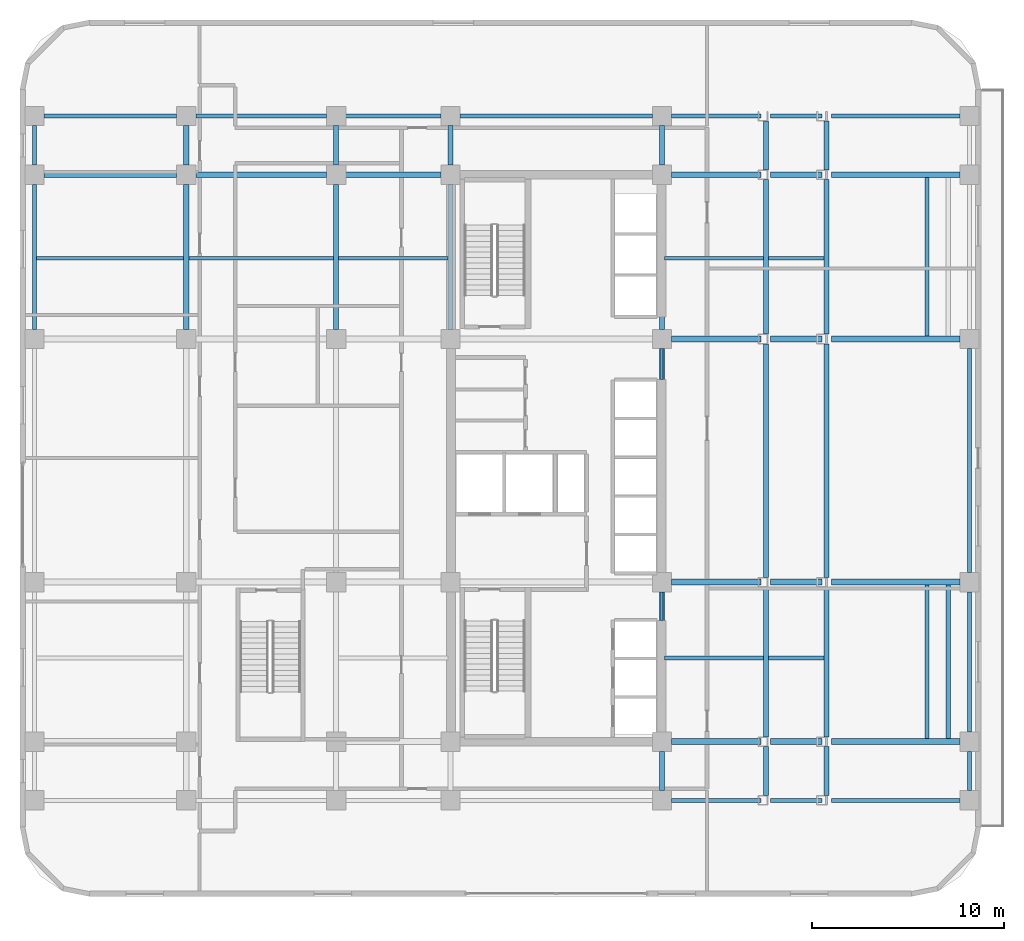
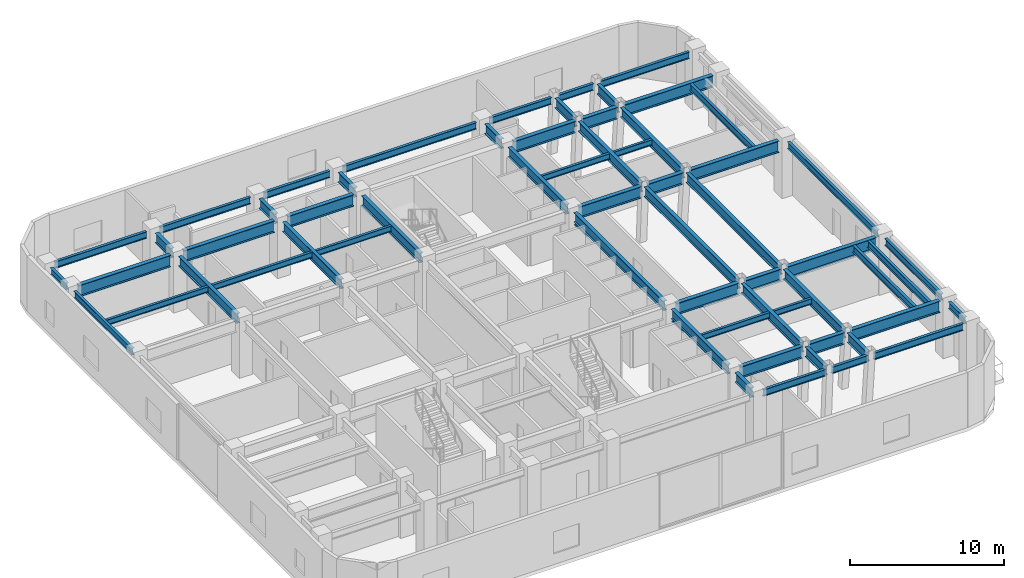
# One storey, part 3 of 10: 63 beams.
"""IFC4 building model written with IfcOpenShell, lengths in metres."""

from ifc_helpers import new_model, si_unit, direction, frame, origin, origin_2d, place, context, subcontext, project, spatial, i_section, extrude, material, material_profile, profile_set, type_object, element, save


model = new_model("IFC4")

# Units and contexts
model_context = context("Model", 3, precision=1e-05, world=origin(), true_north=direction((0.0, 1.0)))
body_context = subcontext(model_context, "Body", "Model", "MODEL_VIEW")
ifc_project = project(units=[si_unit("LENGTHUNIT", "METRE"), si_unit("AREAUNIT", "SQUARE_METRE"), si_unit("VOLUMEUNIT", "CUBIC_METRE"), si_unit("PLANEANGLEUNIT", "RADIAN"), si_unit("MASSUNIT", "GRAM", prefix="KILO")], contexts=[model_context])

# Site, building, storey
site_placement = place(None, origin())
site = spatial("IfcSite", under=ifc_project, at=site_placement, CompositionType="ELEMENT")
building_placement = place(site_placement, origin())
building = spatial("IfcBuilding", under=site, at=building_placement, Name="Ochreholt Gables", CompositionType="ELEMENT")
storey_placement = place(building_placement, frame((0.0, 0.0, 14.39990234375)))
storey = spatial("IfcBuildingStorey", under=building, at=storey_placement, Name="L03", CompositionType="ELEMENT", Elevation=14.39990234375)

# Beams
ifc_material = material(Name="Steel CSA G40.21 350W", Category="steel")
ifc_material_profile_1 = material_profile(ifc_material, i_section(OverallWidth=0.2109375, OverallDepth=0.5390625, WebThickness=0.01171875, FlangeThickness=0.018798828125, at=origin_2d()), Name="W530X109")
ifc_profile_set_1 = profile_set([ifc_material_profile_1], Name="Steel CSA G40.21 350W")
beam_type_1 = type_object("IfcBeamType", Name="BM-G-W530A", PredefinedType="BEAM", material=ifc_profile_set_1)
beam_1_placement = place(storey_placement, frame((49.0, 9.403564453125, 4.12060546875), z_axis=(0.0, 1.0, 0.0), x_axis=(-1.0, 0.0, 0.0)))
element("IfcBeam", 1, at=beam_1_placement, inside=storey, type_object=beam_type_1, Name="L03 Beam BTG-L03-04E1W", PredefinedType="BEAM", context=body_context, shape_type="SweptSolid", body=[
    extrude(i_section(OverallWidth=0.2109375, OverallDepth=0.5390625, WebThickness=0.01171875, FlangeThickness=0.018798828125, at=origin_2d()), origin(), (0.0, 0.0, 1.0), 7.992919921875),
])
beam_2_placement = place(storey_placement, frame((49.0, 30.353515625, 4.12060546875), z_axis=(0.0, 1.0, 0.0), x_axis=(-1.0, 0.0, 0.0)))
element("IfcBeam", 2, at=beam_2_placement, inside=storey, type_object=beam_type_1, Name="L03 Beam BTG-L03-04E2W", PredefinedType="BEAM", context=body_context, shape_type="SweptSolid", body=[
    extrude(i_section(OverallWidth=0.2109375, OverallDepth=0.5390625, WebThickness=0.01171875, FlangeThickness=0.018798828125, at=origin_2d()), origin(), (0.0, 0.0, 1.0), 8.242919921875),
])
beam_3_placement = place(storey_placement, frame((50.10009765625, 9.403564453125, 4.12060546875), z_axis=(0.0, 1.0, 0.0), x_axis=(-1.0, 0.0, 0.0)))
element("IfcBeam", 3, at=beam_3_placement, inside=storey, type_object=beam_type_1, Name="L03 Beam BTG-L03-04E1R", PredefinedType="BEAM", context=body_context, shape_type="SweptSolid", body=[
    extrude(i_section(OverallWidth=0.2109375, OverallDepth=0.5390625, WebThickness=0.01171875, FlangeThickness=0.018798828125, at=origin_2d()), origin(), (0.0, 0.0, 1.0), 7.992919921875),
])
ifc_material_profile_2 = material_profile(ifc_material, i_section(OverallWidth=0.26806640625, OverallDepth=0.77001953125, WebThickness=0.015625, FlangeThickness=0.025390625, at=origin_2d()), Name="W760X196")
ifc_profile_set_2 = profile_set([ifc_material_profile_2], Name="Steel CSA G40.21 350W")
beam_type_2 = type_object("IfcBeamType", Name="BM-G-W760", PredefinedType="BEAM", material=ifc_profile_set_2)
beam_4_placement = place(storey_placement, frame((10.449951171875, 30.69970703125, 4.005126953125), z_axis=(0.0, 1.0, 0.0), x_axis=(-1.0, 0.0, 0.0)))
element("IfcBeam", 4, at=beam_4_placement, inside=storey, type_object=beam_type_2, Name="L03 Beam BG-L03-W2-Y4Y5", PredefinedType="BEAM", context=body_context, shape_type="SweptSolid", body=[
    extrude(i_section(OverallWidth=0.26806640625, OverallDepth=0.77001953125, WebThickness=0.015625, FlangeThickness=0.025390625, at=origin_2d()), origin(), (0.0, 0.0, 1.0), 7.55078125),
])
beam_5_placement = place(storey_placement, frame((10.449951171875, 39.24951171875, 4.005126953125), z_axis=(0.0, 1.0, 0.0), x_axis=(-1.0, 0.0, 0.0)))
element("IfcBeam", 5, at=beam_5_placement, inside=storey, type_object=beam_type_2, Name="L03 Beam BG-L03-W2-Y5Y6", PredefinedType="BEAM", context=body_context, shape_type="SweptSolid", body=[
    extrude(i_section(OverallWidth=0.26806640625, OverallDepth=0.77001953125, WebThickness=0.015625, FlangeThickness=0.025390625, at=origin_2d()), origin(), (0.0, 0.0, 1.0), 2.05078125),
])
beam_6_placement = place(storey_placement, frame((18.25, 30.69970703125, 4.005126953125), z_axis=(0.0, 1.0, 0.0), x_axis=(-1.0, 0.0, 0.0)))
element("IfcBeam", 6, at=beam_6_placement, inside=storey, type_object=beam_type_2, Name="L03 Beam BG-L03-W3-Y4Y5", PredefinedType="BEAM", context=body_context, shape_type="SweptSolid", body=[
    extrude(i_section(OverallWidth=0.26806640625, OverallDepth=0.77001953125, WebThickness=0.015625, FlangeThickness=0.025390625, at=origin_2d()), origin(), (0.0, 0.0, 1.0), 7.55078125),
])
beam_7_placement = place(storey_placement, frame((18.25, 39.24951171875, 4.005126953125), z_axis=(0.0, 1.0, 0.0), x_axis=(-1.0, 0.0, 0.0)))
element("IfcBeam", 7, at=beam_7_placement, inside=storey, type_object=beam_type_2, Name="L03 Beam BG-L03-W3-Y5Y6", PredefinedType="BEAM", context=body_context, shape_type="SweptSolid", body=[
    extrude(i_section(OverallWidth=0.26806640625, OverallDepth=0.77001953125, WebThickness=0.015625, FlangeThickness=0.025390625, at=origin_2d()), origin(), (0.0, 0.0, 1.0), 2.05078125),
])
beam_8_placement = place(storey_placement, frame((24.199951171875, 30.69970703125, 4.005126953125), z_axis=(0.0, 1.0, 0.0), x_axis=(-1.0, 0.0, 0.0)))
element("IfcBeam", 8, at=beam_8_placement, inside=storey, type_object=beam_type_2, Name="L03 Beam BG-L03-C1-Y4Y5", PredefinedType="BEAM", context=body_context, shape_type="SweptSolid", body=[
    extrude(i_section(OverallWidth=0.26806640625, OverallDepth=0.77001953125, WebThickness=0.015625, FlangeThickness=0.025390625, at=origin_2d()), origin(), (0.0, 0.0, 1.0), 7.55078125),
])
for number, where, z_axis, x_axis, name in (
    (9, (24.199951171875, 39.24951171875, 4.005126953125), (0.0, 1.0, 0.0), (-1.0, 0.0, 0.0), "L03 Beam BG-L03-C1-Y5Y6"),
    (10, (35.199951171875, 6.69970703125, 4.005126953125), (0.0, 1.0, 0.0), (-1.0, 0.0, 0.0), "L03 Beam BG-L03-C2-Y1Y2"),
):
    element("IfcBeam", number, at=place(storey_placement, frame(where, z_axis=z_axis, x_axis=x_axis)), inside=storey, type_object=beam_type_2, Name=name, PredefinedType="BEAM", context=body_context, shape_type="SweptSolid", body=[
        extrude(i_section(OverallWidth=0.26806640625, OverallDepth=0.77001953125, WebThickness=0.015625, FlangeThickness=0.025390625, at=origin_2d()), origin(), (0.0, 0.0, 1.0), 2.05078125),
    ])
beam_9_placement = place(storey_placement, frame((35.199951171875, 9.74951171875, 4.005126953125), z_axis=(0.0, 1.0, 0.0), x_axis=(-1.0, 0.0, 0.0)))
element("IfcBeam", 11, at=beam_9_placement, inside=storey, type_object=beam_type_2, Name="L03 Beam BG-L03-C2-Y2Y3", PredefinedType="BEAM", context=body_context, shape_type="SweptSolid", body=[
    extrude(i_section(OverallWidth=0.26806640625, OverallDepth=0.77001953125, WebThickness=0.015625, FlangeThickness=0.025390625, at=origin_2d()), origin(), (0.0, 0.0, 1.0), 7.30078125),
])
beam_10_placement = place(storey_placement, frame((35.199951171875, 18.049560546875, 4.005126953125), z_axis=(0.0, 1.0, 0.0), x_axis=(-1.0, 0.0, 0.0)))
element("IfcBeam", 12, at=beam_10_placement, inside=storey, type_object=beam_type_2, Name="L03 Beam BG-L03-C2-Y3Y4", PredefinedType="BEAM", context=body_context, shape_type="SweptSolid", body=[
    extrude(i_section(OverallWidth=0.26806640625, OverallDepth=0.77001953125, WebThickness=0.015625, FlangeThickness=0.025390625, at=origin_2d()), origin(), (0.0, 0.0, 1.0), 11.65087890625),
])
beam_11_placement = place(storey_placement, frame((35.199951171875, 30.69970703125, 4.005126953125), z_axis=(0.0, 1.0, 0.0), x_axis=(-1.0, 0.0, 0.0)))
element("IfcBeam", 13, at=beam_11_placement, inside=storey, type_object=beam_type_2, Name="L03 Beam BG-L03-C2-Y4Y5", PredefinedType="BEAM", context=body_context, shape_type="SweptSolid", body=[
    extrude(i_section(OverallWidth=0.26806640625, OverallDepth=0.77001953125, WebThickness=0.015625, FlangeThickness=0.025390625, at=origin_2d()), origin(), (0.0, 0.0, 1.0), 7.55078125),
])
beam_12_placement = place(storey_placement, frame((35.199951171875, 39.24951171875, 4.005126953125), z_axis=(0.0, 1.0, 0.0), x_axis=(-1.0, 0.0, 0.0)))
element("IfcBeam", 14, at=beam_12_placement, inside=storey, type_object=beam_type_2, Name="L03 Beam BG-L03-C2-Y5Y6", PredefinedType="BEAM", context=body_context, shape_type="SweptSolid", body=[
    extrude(i_section(OverallWidth=0.26806640625, OverallDepth=0.77001953125, WebThickness=0.015625, FlangeThickness=0.025390625, at=origin_2d()), origin(), (0.0, 0.0, 1.0), 2.05078125),
])
beam_13_placement = place(storey_placement, frame((40.60791015625, 6.44970703125, 4.005126953125), z_axis=(0.0, 1.0, 0.0), x_axis=(-1.0, 0.0, 0.0)))
element("IfcBeam", 15, at=beam_13_placement, inside=storey, type_object=beam_type_2, Name="L03 Beam BG-L03-EM-Y1Y2", PredefinedType="BEAM", context=body_context, shape_type="SweptSolid", body=[
    extrude(i_section(OverallWidth=0.26806640625, OverallDepth=0.77001953125, WebThickness=0.015625, FlangeThickness=0.025390625, at=origin_2d()), origin(), (0.0, 0.0, 1.0), 2.55078125),
])
beam_14_placement = place(storey_placement, frame((40.60791015625, 9.49951171875, 4.005126953125), z_axis=(0.0, 1.0, 0.0), x_axis=(-1.0, 0.0, 0.0)))
element("IfcBeam", 16, at=beam_14_placement, inside=storey, type_object=beam_type_2, Name="L03 Beam BG-L03-EM-Y2Y3", PredefinedType="BEAM", context=body_context, shape_type="SweptSolid", body=[
    extrude(i_section(OverallWidth=0.26806640625, OverallDepth=0.77001953125, WebThickness=0.015625, FlangeThickness=0.025390625, at=origin_2d()), origin(), (0.0, 0.0, 1.0), 7.80078125),
])
beam_15_placement = place(storey_placement, frame((40.60791015625, 17.799560546875, 4.005126953125), z_axis=(0.0, 1.0, 0.0), x_axis=(-1.0, 0.0, 0.0)))
element("IfcBeam", 17, at=beam_15_placement, inside=storey, type_object=beam_type_2, Name="L03 Beam BG-L03-EM-Y3Y4", PredefinedType="BEAM", context=body_context, shape_type="SweptSolid", body=[
    extrude(i_section(OverallWidth=0.26806640625, OverallDepth=0.77001953125, WebThickness=0.015625, FlangeThickness=0.025390625, at=origin_2d()), origin(), (0.0, 0.0, 1.0), 12.15087890625),
])
beam_16_placement = place(storey_placement, frame((40.60791015625, 30.44970703125, 4.005126953125), z_axis=(0.0, 1.0, 0.0), x_axis=(-1.0, 0.0, 0.0)))
element("IfcBeam", 18, at=beam_16_placement, inside=storey, type_object=beam_type_2, Name="L03 Beam BG-L03-EM-Y4Y5", PredefinedType="BEAM", context=body_context, shape_type="SweptSolid", body=[
    extrude(i_section(OverallWidth=0.26806640625, OverallDepth=0.77001953125, WebThickness=0.015625, FlangeThickness=0.025390625, at=origin_2d()), origin(), (0.0, 0.0, 1.0), 8.05078125),
])
for number, where, z_axis, x_axis, name in (
    (19, (40.60791015625, 38.99951171875, 4.005126953125), (0.0, 1.0, 0.0), (-1.0, 0.0, 0.0), "L03 Beam BG-L03-EM-Y5Y6"),
    (20, (43.7705078125, 6.44970703125, 4.005126953125), (0.0, 1.0, 0.0), (-1.0, 0.0, 0.0), "L03 Beam BG-L03-EE-Y1Y2"),
):
    element("IfcBeam", number, at=place(storey_placement, frame(where, z_axis=z_axis, x_axis=x_axis)), inside=storey, type_object=beam_type_2, Name=name, PredefinedType="BEAM", context=body_context, shape_type="SweptSolid", body=[
        extrude(i_section(OverallWidth=0.26806640625, OverallDepth=0.77001953125, WebThickness=0.015625, FlangeThickness=0.025390625, at=origin_2d()), origin(), (0.0, 0.0, 1.0), 2.55078125),
    ])
beam_17_placement = place(storey_placement, frame((43.7705078125, 9.49951171875, 4.005126953125), z_axis=(0.0, 1.0, 0.0), x_axis=(-1.0, 0.0, 0.0)))
element("IfcBeam", 21, at=beam_17_placement, inside=storey, type_object=beam_type_2, Name="L03 Beam BG-L03-EE-Y2Y3", PredefinedType="BEAM", context=body_context, shape_type="SweptSolid", body=[
    extrude(i_section(OverallWidth=0.26806640625, OverallDepth=0.77001953125, WebThickness=0.015625, FlangeThickness=0.025390625, at=origin_2d()), origin(), (0.0, 0.0, 1.0), 7.80078125),
])
beam_18_placement = place(storey_placement, frame((43.7705078125, 17.799560546875, 4.005126953125), z_axis=(0.0, 1.0, 0.0), x_axis=(-1.0, 0.0, 0.0)))
element("IfcBeam", 22, at=beam_18_placement, inside=storey, type_object=beam_type_2, Name="L03 Beam BG-L03-EE-Y3Y4", PredefinedType="BEAM", context=body_context, shape_type="SweptSolid", body=[
    extrude(i_section(OverallWidth=0.26806640625, OverallDepth=0.77001953125, WebThickness=0.015625, FlangeThickness=0.025390625, at=origin_2d()), origin(), (0.0, 0.0, 1.0), 12.15087890625),
])
beam_19_placement = place(storey_placement, frame((43.7705078125, 30.44970703125, 4.005126953125), z_axis=(0.0, 1.0, 0.0), x_axis=(-1.0, 0.0, 0.0)))
element("IfcBeam", 23, at=beam_19_placement, inside=storey, type_object=beam_type_2, Name="L03 Beam BG-L03-EE-Y4Y5", PredefinedType="BEAM", context=body_context, shape_type="SweptSolid", body=[
    extrude(i_section(OverallWidth=0.26806640625, OverallDepth=0.77001953125, WebThickness=0.015625, FlangeThickness=0.025390625, at=origin_2d()), origin(), (0.0, 0.0, 1.0), 8.05078125),
])
beam_20_placement = place(storey_placement, frame((43.7705078125, 38.99951171875, 4.005126953125), z_axis=(0.0, 1.0, 0.0), x_axis=(-1.0, 0.0, 0.0)))
element("IfcBeam", 24, at=beam_20_placement, inside=storey, type_object=beam_type_2, Name="L03 Beam BG-L03-EE-Y5Y6", PredefinedType="BEAM", context=body_context, shape_type="SweptSolid", body=[
    extrude(i_section(OverallWidth=0.26806640625, OverallDepth=0.77001953125, WebThickness=0.015625, FlangeThickness=0.025390625, at=origin_2d()), origin(), (0.0, 0.0, 1.0), 2.55078125),
])
ifc_material_profile_3 = material_profile(ifc_material, i_section(OverallWidth=0.30810546875, OverallDepth=0.927001953125, WebThickness=0.019287109375, FlangeThickness=0.031982421875, at=origin_2d()), Name="W920X289")
ifc_profile_set_3 = profile_set([ifc_material_profile_3], Name="Steel CSA G40.21 350W")
beam_type_3 = type_object("IfcBeamType", Name="BM-G-W920", PredefinedType="BEAM", material=ifc_profile_set_3)
beam_21_placement = place(storey_placement, frame((35.69970703125, 9.25, 3.926513671875), z_axis=(1.0, 0.0, 0.0), x_axis=(0.0, 1.0, 0.0)))
element("IfcBeam", 25, at=beam_21_placement, inside=storey, type_object=beam_type_3, Name="L03 Beam BG-L03-C2EM-Y2", PredefinedType="BEAM", context=body_context, shape_type="SweptSolid", body=[
    extrude(i_section(OverallWidth=0.30810546875, OverallDepth=0.927001953125, WebThickness=0.019287109375, FlangeThickness=0.031982421875, at=origin_2d()), origin(), (0.0, 0.0, 1.0), 4.65869140625),
])
beam_22_placement = place(storey_placement, frame((40.857666015625, 9.25, 3.926513671875), z_axis=(1.0, 0.0, 0.0), x_axis=(0.0, 1.0, 0.0)))
element("IfcBeam", 26, at=beam_22_placement, inside=storey, type_object=beam_type_3, Name="L03 Beam BG-L03-EMEE-Y2", PredefinedType="BEAM", context=body_context, shape_type="SweptSolid", body=[
    extrude(i_section(OverallWidth=0.30810546875, OverallDepth=0.927001953125, WebThickness=0.019287109375, FlangeThickness=0.031982421875, at=origin_2d()), origin(), (0.0, 0.0, 1.0), 2.6630859375),
])
beam_23_placement = place(storey_placement, frame((44.02001953125, 9.25, 3.926513671875), z_axis=(1.0, 0.0, 0.0), x_axis=(0.0, 1.0, 0.0)))
element("IfcBeam", 27, at=beam_23_placement, inside=storey, type_object=beam_type_3, Name="L03 Beam BG-L03-EEE3-Y2", PredefinedType="BEAM", context=body_context, shape_type="SweptSolid", body=[
    extrude(i_section(OverallWidth=0.30810546875, OverallDepth=0.927001953125, WebThickness=0.019287109375, FlangeThickness=0.031982421875, at=origin_2d()), origin(), (0.0, 0.0, 1.0), 6.680419921875),
])
beam_24_placement = place(storey_placement, frame((35.69970703125, 17.550048828125, 3.926513671875), z_axis=(1.0, 0.0, 0.0), x_axis=(0.0, 1.0, 0.0)))
element("IfcBeam", 28, at=beam_24_placement, inside=storey, type_object=beam_type_3, Name="L03 Beam BG-L03-C2EM-Y3", PredefinedType="BEAM", context=body_context, shape_type="SweptSolid", body=[
    extrude(i_section(OverallWidth=0.30810546875, OverallDepth=0.927001953125, WebThickness=0.019287109375, FlangeThickness=0.031982421875, at=origin_2d()), origin(), (0.0, 0.0, 1.0), 4.65869140625),
])
beam_25_placement = place(storey_placement, frame((40.857666015625, 17.550048828125, 3.926513671875), z_axis=(1.0, 0.0, 0.0), x_axis=(0.0, 1.0, 0.0)))
element("IfcBeam", 29, at=beam_25_placement, inside=storey, type_object=beam_type_3, Name="L03 Beam BG-L03-EMEE-Y3", PredefinedType="BEAM", context=body_context, shape_type="SweptSolid", body=[
    extrude(i_section(OverallWidth=0.30810546875, OverallDepth=0.927001953125, WebThickness=0.019287109375, FlangeThickness=0.031982421875, at=origin_2d()), origin(), (0.0, 0.0, 1.0), 2.6630859375),
])
beam_26_placement = place(storey_placement, frame((44.02001953125, 17.550048828125, 3.926513671875), z_axis=(1.0, 0.0, 0.0), x_axis=(0.0, 1.0, 0.0)))
element("IfcBeam", 30, at=beam_26_placement, inside=storey, type_object=beam_type_3, Name="L03 Beam BG-L03-EEE3-Y3", PredefinedType="BEAM", context=body_context, shape_type="SweptSolid", body=[
    extrude(i_section(OverallWidth=0.30810546875, OverallDepth=0.927001953125, WebThickness=0.019287109375, FlangeThickness=0.031982421875, at=origin_2d()), origin(), (0.0, 0.0, 1.0), 6.680419921875),
])
beam_27_placement = place(storey_placement, frame((35.69970703125, 30.199951171875, 3.926513671875), z_axis=(1.0, 0.0, 0.0), x_axis=(0.0, 1.0, 0.0)))
element("IfcBeam", 31, at=beam_27_placement, inside=storey, type_object=beam_type_3, Name="L03 Beam BG-L03-C2EM-Y4", PredefinedType="BEAM", context=body_context, shape_type="SweptSolid", body=[
    extrude(i_section(OverallWidth=0.30810546875, OverallDepth=0.927001953125, WebThickness=0.019287109375, FlangeThickness=0.031982421875, at=origin_2d()), origin(), (0.0, 0.0, 1.0), 4.65869140625),
])
beam_28_placement = place(storey_placement, frame((40.857666015625, 30.199951171875, 3.926513671875), z_axis=(1.0, 0.0, 0.0), x_axis=(0.0, 1.0, 0.0)))
element("IfcBeam", 32, at=beam_28_placement, inside=storey, type_object=beam_type_3, Name="L03 Beam BG-L03-EMEE-Y4", PredefinedType="BEAM", context=body_context, shape_type="SweptSolid", body=[
    extrude(i_section(OverallWidth=0.30810546875, OverallDepth=0.927001953125, WebThickness=0.019287109375, FlangeThickness=0.031982421875, at=origin_2d()), origin(), (0.0, 0.0, 1.0), 2.6630859375),
])
beam_29_placement = place(storey_placement, frame((44.02001953125, 30.199951171875, 3.926513671875), z_axis=(1.0, 0.0, 0.0), x_axis=(0.0, 1.0, 0.0)))
element("IfcBeam", 33, at=beam_29_placement, inside=storey, type_object=beam_type_3, Name="L03 Beam BG-L03-EEE3-Y4", PredefinedType="BEAM", context=body_context, shape_type="SweptSolid", body=[
    extrude(i_section(OverallWidth=0.30810546875, OverallDepth=0.927001953125, WebThickness=0.019287109375, FlangeThickness=0.031982421875, at=origin_2d()), origin(), (0.0, 0.0, 1.0), 6.680419921875),
])
beam_30_placement = place(storey_placement, frame((3.049560546875, 38.75, 3.926513671875), z_axis=(1.0, 0.0, 0.0), x_axis=(0.0, 1.0, 0.0)))
element("IfcBeam", 34, at=beam_30_placement, inside=storey, type_object=beam_type_3, Name="L03 Beam BG-L03-W1W2-Y5", PredefinedType="BEAM", context=body_context, shape_type="SweptSolid", body=[
    extrude(i_section(OverallWidth=0.30810546875, OverallDepth=0.927001953125, WebThickness=0.019287109375, FlangeThickness=0.031982421875, at=origin_2d()), origin(), (0.0, 0.0, 1.0), 6.90087890625),
])
beam_31_placement = place(storey_placement, frame((10.94970703125, 38.75, 3.926513671875), z_axis=(1.0, 0.0, 0.0), x_axis=(0.0, 1.0, 0.0)))
element("IfcBeam", 35, at=beam_31_placement, inside=storey, type_object=beam_type_3, Name="L03 Beam BG-L03-W2W3-Y5", PredefinedType="BEAM", context=body_context, shape_type="SweptSolid", body=[
    extrude(i_section(OverallWidth=0.30810546875, OverallDepth=0.927001953125, WebThickness=0.019287109375, FlangeThickness=0.031982421875, at=origin_2d()), origin(), (0.0, 0.0, 1.0), 6.80078125),
])
beam_32_placement = place(storey_placement, frame((18.74951171875, 38.75, 3.926513671875), z_axis=(1.0, 0.0, 0.0), x_axis=(0.0, 1.0, 0.0)))
element("IfcBeam", 36, at=beam_32_placement, inside=storey, type_object=beam_type_3, Name="L03 Beam BG-L03-W3C1-Y5", PredefinedType="BEAM", context=body_context, shape_type="SweptSolid", body=[
    extrude(i_section(OverallWidth=0.30810546875, OverallDepth=0.927001953125, WebThickness=0.019287109375, FlangeThickness=0.031982421875, at=origin_2d()), origin(), (0.0, 0.0, 1.0), 4.950927734375),
])
beam_33_placement = place(storey_placement, frame((35.69970703125, 38.75, 3.926513671875), z_axis=(1.0, 0.0, 0.0), x_axis=(0.0, 1.0, 0.0)))
element("IfcBeam", 37, at=beam_33_placement, inside=storey, type_object=beam_type_3, Name="L03 Beam BG-L03-C2EM-Y5", PredefinedType="BEAM", context=body_context, shape_type="SweptSolid", body=[
    extrude(i_section(OverallWidth=0.30810546875, OverallDepth=0.927001953125, WebThickness=0.019287109375, FlangeThickness=0.031982421875, at=origin_2d()), origin(), (0.0, 0.0, 1.0), 4.65869140625),
])
beam_34_placement = place(storey_placement, frame((40.857666015625, 38.75, 3.926513671875), z_axis=(1.0, 0.0, 0.0), x_axis=(0.0, 1.0, 0.0)))
element("IfcBeam", 38, at=beam_34_placement, inside=storey, type_object=beam_type_3, Name="L03 Beam BG-L03-EMEE-Y5", PredefinedType="BEAM", context=body_context, shape_type="SweptSolid", body=[
    extrude(i_section(OverallWidth=0.30810546875, OverallDepth=0.927001953125, WebThickness=0.019287109375, FlangeThickness=0.031982421875, at=origin_2d()), origin(), (0.0, 0.0, 1.0), 2.6630859375),
])
beam_35_placement = place(storey_placement, frame((44.02001953125, 38.75, 3.926513671875), z_axis=(1.0, 0.0, 0.0), x_axis=(0.0, 1.0, 0.0)))
element("IfcBeam", 39, at=beam_35_placement, inside=storey, type_object=beam_type_3, Name="L03 Beam BG-L03-EEE3-Y5", PredefinedType="BEAM", context=body_context, shape_type="SweptSolid", body=[
    extrude(i_section(OverallWidth=0.30810546875, OverallDepth=0.927001953125, WebThickness=0.019287109375, FlangeThickness=0.031982421875, at=origin_2d()), origin(), (0.0, 0.0, 1.0), 6.680419921875),
])
ifc_material_profile_4 = material_profile(ifc_material, i_section(OverallWidth=0.18994140625, OverallDepth=0.45703125, WebThickness=0.009033203125, FlangeThickness=0.014404296875, at=origin_2d()), Name="W460X74")
ifc_profile_set_4 = profile_set([ifc_material_profile_4], Name="Steel CSA G40.21 350W")
beam_type_4 = type_object("IfcBeamType", Name="BM-J-W460B", PredefinedType="JOIST", material=ifc_profile_set_4)
beam_36_placement = place(storey_placement, frame((35.33349609375, 13.60009765625, 4.16162109375), z_axis=(1.0, 0.0, 0.0), x_axis=(0.0, 1.0, 0.0)))
element("IfcBeam", 40, at=beam_36_placement, inside=storey, type_object=beam_type_4, Name="L03 Beam BJ-L03-J1-C2EM", PredefinedType="JOIST", context=body_context, shape_type="SweptSolid", body=[
    extrude(i_section(OverallWidth=0.18994140625, OverallDepth=0.45703125, WebThickness=0.009033203125, FlangeThickness=0.014404296875, at=origin_2d()), origin(), (0.0, 0.0, 1.0), 5.140869140625),
])
beam_37_placement = place(storey_placement, frame((40.74169921875, 13.60009765625, 4.16162109375), z_axis=(1.0, 0.0, 0.0), x_axis=(0.0, 1.0, 0.0)))
element("IfcBeam", 41, at=beam_37_placement, inside=storey, type_object=beam_type_4, Name="L03 Beam BJ-L03-J1-EMEE", PredefinedType="JOIST", context=body_context, shape_type="SweptSolid", body=[
    extrude(i_section(OverallWidth=0.18994140625, OverallDepth=0.45703125, WebThickness=0.009033203125, FlangeThickness=0.014404296875, at=origin_2d()), origin(), (0.0, 0.0, 1.0), 2.89501953125),
])
beam_38_placement = place(storey_placement, frame((2.654052734375, 34.39990234375, 4.16162109375), z_axis=(1.0, 0.0, 0.0), x_axis=(0.0, 1.0, 0.0)))
element("IfcBeam", 42, at=beam_38_placement, inside=storey, type_object=beam_type_4, Name="L03 Beam BJ-L03-J2-W1W2", PredefinedType="JOIST", context=body_context, shape_type="SweptSolid", body=[
    extrude(i_section(OverallWidth=0.18994140625, OverallDepth=0.45703125, WebThickness=0.009033203125, FlangeThickness=0.014404296875, at=origin_2d()), origin(), (0.0, 0.0, 1.0), 7.662353515625),
])
beam_39_placement = place(storey_placement, frame((10.58349609375, 34.39990234375, 4.16162109375), z_axis=(1.0, 0.0, 0.0), x_axis=(0.0, 1.0, 0.0)))
element("IfcBeam", 43, at=beam_39_placement, inside=storey, type_object=beam_type_4, Name="L03 Beam BJ-L03-J2-W2W3", PredefinedType="JOIST", context=body_context, shape_type="SweptSolid", body=[
    extrude(i_section(OverallWidth=0.18994140625, OverallDepth=0.45703125, WebThickness=0.009033203125, FlangeThickness=0.014404296875, at=origin_2d()), origin(), (0.0, 0.0, 1.0), 7.532958984375),
])
beam_40_placement = place(storey_placement, frame((18.383544921875, 34.39990234375, 4.16162109375), z_axis=(1.0, 0.0, 0.0), x_axis=(0.0, 1.0, 0.0)))
element("IfcBeam", 44, at=beam_40_placement, inside=storey, type_object=beam_type_4, Name="L03 Beam BJ-L03-J2-W3C1", PredefinedType="JOIST", context=body_context, shape_type="SweptSolid", body=[
    extrude(i_section(OverallWidth=0.18994140625, OverallDepth=0.45703125, WebThickness=0.009033203125, FlangeThickness=0.014404296875, at=origin_2d()), origin(), (0.0, 0.0, 1.0), 5.682861328125),
])
beam_41_placement = place(storey_placement, frame((35.33349609375, 34.39990234375, 4.16162109375), z_axis=(1.0, 0.0, 0.0), x_axis=(0.0, 1.0, 0.0)))
element("IfcBeam", 45, at=beam_41_placement, inside=storey, type_object=beam_type_4, Name="L03 Beam BJ-L03-J2-C2EM", PredefinedType="JOIST", context=body_context, shape_type="SweptSolid", body=[
    extrude(i_section(OverallWidth=0.18994140625, OverallDepth=0.45703125, WebThickness=0.009033203125, FlangeThickness=0.014404296875, at=origin_2d()), origin(), (0.0, 0.0, 1.0), 5.140869140625),
])
beam_42_placement = place(storey_placement, frame((40.74169921875, 34.39990234375, 4.16162109375), z_axis=(1.0, 0.0, 0.0), x_axis=(0.0, 1.0, 0.0)))
element("IfcBeam", 46, at=beam_42_placement, inside=storey, type_object=beam_type_4, Name="L03 Beam BJ-L03-J2-EMEE", PredefinedType="JOIST", context=body_context, shape_type="SweptSolid", body=[
    extrude(i_section(OverallWidth=0.18994140625, OverallDepth=0.45703125, WebThickness=0.009033203125, FlangeThickness=0.014404296875, at=origin_2d()), origin(), (0.0, 0.0, 1.0), 2.89501953125),
])
ifc_material_profile_5 = material_profile(ifc_material, i_section(OverallWidth=0.1650390625, OverallDepth=0.200927734375, WebThickness=0.006103515625, FlangeThickness=0.01025390625, at=origin_2d()), Name="W200X36")
ifc_profile_set_5 = profile_set([ifc_material_profile_5], Name="Steel CSA G40.21 350W")
beam_type_5 = type_object("IfcBeamType", Name="BM-LIN-W200", PredefinedType="LINTEL", material=ifc_profile_set_5)
beam_43_placement = place(storey_placement, frame((35.175048828125, 15.550048828125, 3.51953125), z_axis=(0.0, 1.0, 0.0), x_axis=(-1.0, 0.0, 0.0)))
element("IfcBeam", 47, at=beam_43_placement, inside=storey, type_object=beam_type_5, Name="L03 Core Coupling Lintel CPS", PredefinedType="LINTEL", context=body_context, shape_type="SweptSolid", body=[
    extrude(i_section(OverallWidth=0.1650390625, OverallDepth=0.200927734375, WebThickness=0.006103515625, FlangeThickness=0.01025390625, at=origin_2d()), origin(), (0.0, 0.0, 1.0), 1.5),
])
beam_44_placement = place(storey_placement, frame((35.175048828125, 28.10009765625, 3.51953125), z_axis=(0.0, 1.0, 0.0), x_axis=(-1.0, 0.0, 0.0)))
element("IfcBeam", 48, at=beam_44_placement, inside=storey, type_object=beam_type_5, Name="L03 Core Coupling Lintel CPN", PredefinedType="LINTEL", context=body_context, shape_type="SweptSolid", body=[
    extrude(i_section(OverallWidth=0.1650390625, OverallDepth=0.200927734375, WebThickness=0.006103515625, FlangeThickness=0.01025390625, at=origin_2d()), origin(), (0.0, 0.0, 1.0), 1.599853515625),
])
ifc_material_profile_6 = material_profile(ifc_material, i_section(OverallWidth=0.208984375, OverallDepth=0.532958984375, WebThickness=0.01025390625, FlangeThickness=0.015625, at=origin_2d()), Name="W530X92")
ifc_profile_set_6 = profile_set([ifc_material_profile_6], Name="Steel CSA G40.21 350W")
beam_type_6 = type_object("IfcBeamType", Name="BM-SP-W530B", PredefinedType="SPANDREL", material=ifc_profile_set_6)
beam_45_placement = place(storey_placement, frame((35.69970703125, 6.199951171875, 4.12353515625), z_axis=(1.0, 0.0, 0.0), x_axis=(0.0, 1.0, 0.0)))
element("IfcBeam", 49, at=beam_45_placement, inside=storey, type_object=beam_type_6, Name="L03 Beam BG-L03-C2EM-Y1", PredefinedType="SPANDREL", context=body_context, shape_type="SweptSolid", body=[
    extrude(i_section(OverallWidth=0.208984375, OverallDepth=0.532958984375, WebThickness=0.01025390625, FlangeThickness=0.015625, at=origin_2d()), origin(), (0.0, 0.0, 1.0), 4.65869140625),
])
beam_46_placement = place(storey_placement, frame((40.857666015625, 6.199951171875, 4.12353515625), z_axis=(1.0, 0.0, 0.0), x_axis=(0.0, 1.0, 0.0)))
element("IfcBeam", 50, at=beam_46_placement, inside=storey, type_object=beam_type_6, Name="L03 Beam BG-L03-EMEE-Y1", PredefinedType="SPANDREL", context=body_context, shape_type="SweptSolid", body=[
    extrude(i_section(OverallWidth=0.208984375, OverallDepth=0.532958984375, WebThickness=0.01025390625, FlangeThickness=0.015625, at=origin_2d()), origin(), (0.0, 0.0, 1.0), 2.6630859375),
])
beam_47_placement = place(storey_placement, frame((44.02001953125, 6.199951171875, 4.12353515625), z_axis=(1.0, 0.0, 0.0), x_axis=(0.0, 1.0, 0.0)))
element("IfcBeam", 51, at=beam_47_placement, inside=storey, type_object=beam_type_6, Name="L03 Beam BG-L03-EEE3-Y1", PredefinedType="SPANDREL", context=body_context, shape_type="SweptSolid", body=[
    extrude(i_section(OverallWidth=0.208984375, OverallDepth=0.532958984375, WebThickness=0.01025390625, FlangeThickness=0.015625, at=origin_2d()), origin(), (0.0, 0.0, 1.0), 6.680419921875),
])
beam_48_placement = place(storey_placement, frame((3.049560546875, 41.800048828125, 4.12353515625), z_axis=(1.0, 0.0, 0.0), x_axis=(0.0, 1.0, 0.0)))
element("IfcBeam", 52, at=beam_48_placement, inside=storey, type_object=beam_type_6, Name="L03 Beam BG-L03-W1W2-Y6", PredefinedType="SPANDREL", context=body_context, shape_type="SweptSolid", body=[
    extrude(i_section(OverallWidth=0.208984375, OverallDepth=0.532958984375, WebThickness=0.01025390625, FlangeThickness=0.015625, at=origin_2d()), origin(), (0.0, 0.0, 1.0), 6.90087890625),
])
beam_49_placement = place(storey_placement, frame((10.94970703125, 41.800048828125, 4.12353515625), z_axis=(1.0, 0.0, 0.0), x_axis=(0.0, 1.0, 0.0)))
element("IfcBeam", 53, at=beam_49_placement, inside=storey, type_object=beam_type_6, Name="L03 Beam BG-L03-W2W3-Y6", PredefinedType="SPANDREL", context=body_context, shape_type="SweptSolid", body=[
    extrude(i_section(OverallWidth=0.208984375, OverallDepth=0.532958984375, WebThickness=0.01025390625, FlangeThickness=0.015625, at=origin_2d()), origin(), (0.0, 0.0, 1.0), 6.80078125),
])
beam_50_placement = place(storey_placement, frame((18.74951171875, 41.800048828125, 4.12353515625), z_axis=(1.0, 0.0, 0.0), x_axis=(0.0, 1.0, 0.0)))
element("IfcBeam", 54, at=beam_50_placement, inside=storey, type_object=beam_type_6, Name="L03 Beam BG-L03-W3C1-Y6", PredefinedType="SPANDREL", context=body_context, shape_type="SweptSolid", body=[
    extrude(i_section(OverallWidth=0.208984375, OverallDepth=0.532958984375, WebThickness=0.01025390625, FlangeThickness=0.015625, at=origin_2d()), origin(), (0.0, 0.0, 1.0), 4.950927734375),
])
beam_51_placement = place(storey_placement, frame((24.69970703125, 41.800048828125, 4.12353515625), z_axis=(1.0, 0.0, 0.0), x_axis=(0.0, 1.0, 0.0)))
element("IfcBeam", 55, at=beam_51_placement, inside=storey, type_object=beam_type_6, Name="L03 Beam BG-L03-C1C2-Y6", PredefinedType="SPANDREL", context=body_context, shape_type="SweptSolid", body=[
    extrude(i_section(OverallWidth=0.208984375, OverallDepth=0.532958984375, WebThickness=0.01025390625, FlangeThickness=0.015625, at=origin_2d()), origin(), (0.0, 0.0, 1.0), 10.000732421875),
])
beam_52_placement = place(storey_placement, frame((35.69970703125, 41.800048828125, 4.12353515625), z_axis=(1.0, 0.0, 0.0), x_axis=(0.0, 1.0, 0.0)))
element("IfcBeam", 56, at=beam_52_placement, inside=storey, type_object=beam_type_6, Name="L03 Beam BG-L03-C2EM-Y6", PredefinedType="SPANDREL", context=body_context, shape_type="SweptSolid", body=[
    extrude(i_section(OverallWidth=0.208984375, OverallDepth=0.532958984375, WebThickness=0.01025390625, FlangeThickness=0.015625, at=origin_2d()), origin(), (0.0, 0.0, 1.0), 4.65869140625),
])
beam_53_placement = place(storey_placement, frame((40.857666015625, 41.800048828125, 4.12353515625), z_axis=(1.0, 0.0, 0.0), x_axis=(0.0, 1.0, 0.0)))
element("IfcBeam", 57, at=beam_53_placement, inside=storey, type_object=beam_type_6, Name="L03 Beam BG-L03-EMEE-Y6", PredefinedType="SPANDREL", context=body_context, shape_type="SweptSolid", body=[
    extrude(i_section(OverallWidth=0.208984375, OverallDepth=0.532958984375, WebThickness=0.01025390625, FlangeThickness=0.015625, at=origin_2d()), origin(), (0.0, 0.0, 1.0), 2.6630859375),
])
beam_54_placement = place(storey_placement, frame((44.02001953125, 41.800048828125, 4.12353515625), z_axis=(1.0, 0.0, 0.0), x_axis=(0.0, 1.0, 0.0)))
element("IfcBeam", 58, at=beam_54_placement, inside=storey, type_object=beam_type_6, Name="L03 Beam BG-L03-EEE3-Y6", PredefinedType="SPANDREL", context=body_context, shape_type="SweptSolid", body=[
    extrude(i_section(OverallWidth=0.208984375, OverallDepth=0.532958984375, WebThickness=0.01025390625, FlangeThickness=0.015625, at=origin_2d()), origin(), (0.0, 0.0, 1.0), 6.680419921875),
])
beam_55_placement = place(storey_placement, frame((2.550048828125, 30.69970703125, 4.12353515625), z_axis=(0.0, 1.0, 0.0), x_axis=(-1.0, 0.0, 0.0)))
element("IfcBeam", 59, at=beam_55_placement, inside=storey, type_object=beam_type_6, Name="L03 Beam BG-L03-W1-Y4Y5", PredefinedType="SPANDREL", context=body_context, shape_type="SweptSolid", body=[
    extrude(i_section(OverallWidth=0.208984375, OverallDepth=0.532958984375, WebThickness=0.01025390625, FlangeThickness=0.015625, at=origin_2d()), origin(), (0.0, 0.0, 1.0), 7.55078125),
])
for number, where, z_axis, x_axis, name in (
    (60, (2.550048828125, 39.24951171875, 4.12353515625), (0.0, 1.0, 0.0), (-1.0, 0.0, 0.0), "L03 Beam BG-L03-W1-Y5Y6"),
    (61, (51.199951171875, 6.69970703125, 4.12353515625), (0.0, 1.0, 0.0), (-1.0, 0.0, 0.0), "L03 Beam BG-L03-E3-Y1Y2"),
):
    element("IfcBeam", number, at=place(storey_placement, frame(where, z_axis=z_axis, x_axis=x_axis)), inside=storey, type_object=beam_type_6, Name=name, PredefinedType="SPANDREL", context=body_context, shape_type="SweptSolid", body=[
        extrude(i_section(OverallWidth=0.208984375, OverallDepth=0.532958984375, WebThickness=0.01025390625, FlangeThickness=0.015625, at=origin_2d()), origin(), (0.0, 0.0, 1.0), 2.05078125),
    ])
beam_56_placement = place(storey_placement, frame((51.199951171875, 9.74951171875, 4.12353515625), z_axis=(0.0, 1.0, 0.0), x_axis=(-1.0, 0.0, 0.0)))
element("IfcBeam", 62, at=beam_56_placement, inside=storey, type_object=beam_type_6, Name="L03 Beam BG-L03-E3-Y2Y3", PredefinedType="SPANDREL", context=body_context, shape_type="SweptSolid", body=[
    extrude(i_section(OverallWidth=0.208984375, OverallDepth=0.532958984375, WebThickness=0.01025390625, FlangeThickness=0.015625, at=origin_2d()), origin(), (0.0, 0.0, 1.0), 7.30078125),
])
beam_57_placement = place(storey_placement, frame((51.199951171875, 18.049560546875, 4.12353515625), z_axis=(0.0, 1.0, 0.0), x_axis=(-1.0, 0.0, 0.0)))
element("IfcBeam", 63, at=beam_57_placement, inside=storey, type_object=beam_type_6, Name="L03 Beam BG-L03-E3-Y3Y4", PredefinedType="SPANDREL", context=body_context, shape_type="SweptSolid", body=[
    extrude(i_section(OverallWidth=0.208984375, OverallDepth=0.532958984375, WebThickness=0.01025390625, FlangeThickness=0.015625, at=origin_2d()), origin(), (0.0, 0.0, 1.0), 11.65087890625),
])

save(model, "model.ifc")
